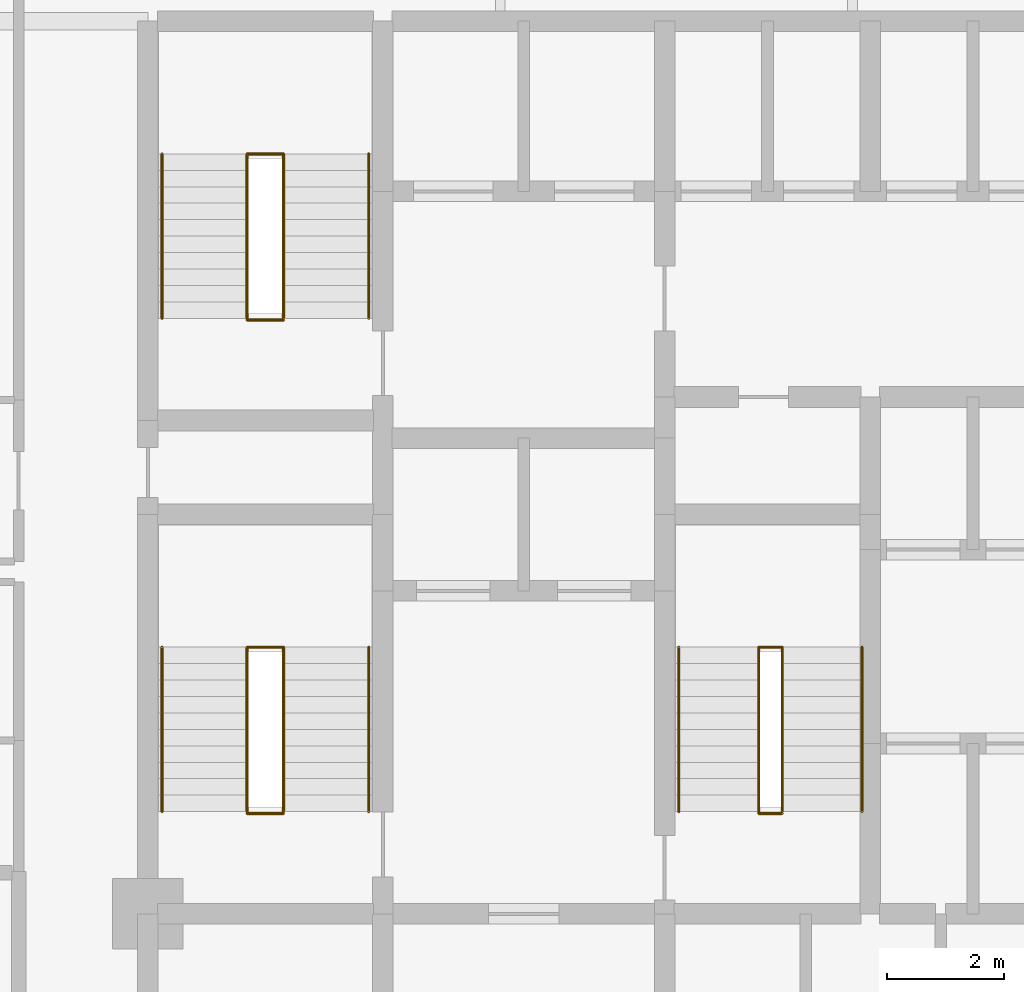
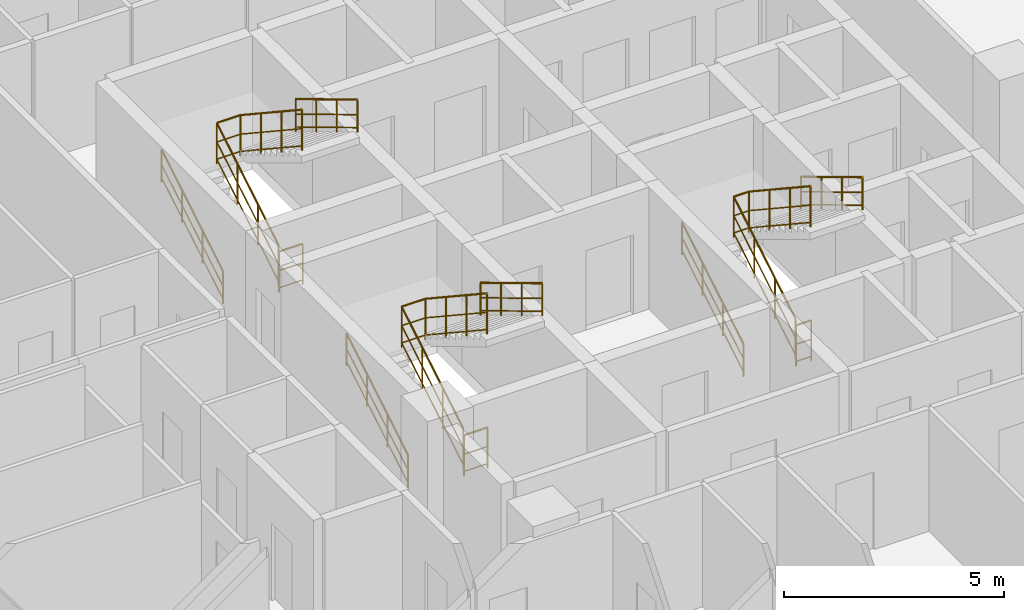
# One storey, part 33 of 33: 12 railings.
"""IFC4 building model written with IfcOpenShell, lengths in metres."""

from ifc_helpers import new_model, si_unit, direction, frame, origin, origin_2d, place, context, subcontext, project, spatial, circle, extrude, material, layer, layer_set, type_object, element, save


model = new_model("IFC4")

# Units and contexts
model_context = context("Model", 3, precision=1e-05, world=origin(), true_north=direction((0.0, 1.0)))
body_context = subcontext(model_context, "Body", "Model", "MODEL_VIEW")
ifc_project = project(units=[si_unit("LENGTHUNIT", "METRE"), si_unit("AREAUNIT", "SQUARE_METRE"), si_unit("VOLUMEUNIT", "CUBIC_METRE"), si_unit("PLANEANGLEUNIT", "RADIAN"), si_unit("MASSUNIT", "GRAM", prefix="KILO")], contexts=[model_context])

# Site, building, storey
site_placement = place(None, origin())
site = spatial("IfcSite", under=ifc_project, at=site_placement, CompositionType="ELEMENT")
building_placement = place(site_placement, origin())
building = spatial("IfcBuilding", under=site, at=building_placement, Name="Keshet Zoharim Tower", CompositionType="ELEMENT")
storey_placement = place(building_placement, frame((0.0, 0.0, 73.800048828125)))
storey = spatial("IfcBuildingStorey", under=building, at=storey_placement, Name="L17", CompositionType="ELEMENT", Elevation=73.800048828125)

# Railings
ifc_material = material(Name="Steel S355", Category="steel")
ifc_layer_1 = layer(ifc_material, 0.050048828125)
ifc_layer_set_1 = layer_set([ifc_layer_1], Name="Steel S355")
railing_type_1 = type_object("IfcRailingType", Name="RL-HND-092", PredefinedType="HANDRAIL", material=ifc_layer_set_1)
railing_1_placement = place(storey_placement, frame((15.239990234375, 24.43994140625, 0.168212890625)))
element("IfcRailing", 1, at=railing_1_placement, inside=storey, type_object=railing_type_1, Name="L17 ST-01 Flight 1 Wall Handrail", PredefinedType="HANDRAIL", context=body_context, shape_type="SweptSolid", body=[
    extrude(circle(Radius=0.02392578125, at=origin_2d()), frame((0.0, 0.0, 0.89599609375), z_axis=(0.0, 0.857275202839, 0.514858452973), x_axis=(-1.0, 0.0, 0.0)), (0.0, 0.0, 1.0), 3.26611328125),
    extrude(circle(Radius=0.01611328125, at=origin_2d()), frame((0.0, 0.0, 0.478271484375), z_axis=(0.0, 0.857275202839, 0.514858452973), x_axis=(-1.0, 0.0, 0.0)), (0.0, 0.0, 1.0), 3.26611328125),
    extrude(circle(Radius=0.01611328125, at=origin_2d()), frame((0.0, 0.0, 0.1201171875), z_axis=(0.0, 0.857275202839, 0.514858452973), x_axis=(-1.0, 0.0, 0.0)), (0.0, 0.0, 1.0), 3.26611328125),
    extrude(circle(Radius=0.02099609375, at=origin_2d()), origin(), (0.0, 0.0, 1.0), 0.871826171875),
    extrude(circle(Radius=0.02099609375, at=origin_2d()), frame((0.0, 0.933349609375, 0.560546875)), (0.0, 0.0, 1.0), 0.871826171875),
    extrude(circle(Radius=0.02099609375, at=origin_2d()), frame((0.0, 1.86669921875, 1.12109375)), (0.0, 0.0, 1.0), 0.871826171875),
    extrude(circle(Radius=0.02099609375, at=origin_2d()), frame((0.0, 2.800048828125, 1.681640625)), (0.0, 0.0, 1.0), 0.871826171875),
])
railing_2_placement = place(storey_placement, frame((18.760009765625, 27.239990234375, 2.01806640625)))
element("IfcRailing", 2, at=railing_2_placement, inside=storey, type_object=railing_type_1, Name="L17 ST-01 Flight 2 Wall Handrail", PredefinedType="HANDRAIL", context=body_context, shape_type="SweptSolid", body=[
    extrude(circle(Radius=0.02392578125, at=origin_2d()), frame((0.0, 0.0, 0.89599609375), z_axis=(0.0, -0.857242210791, 0.514913383045), x_axis=(1.0, 0.0, 0.0)), (0.0, 0.0, 1.0), 3.266357421875),
    extrude(circle(Radius=0.01611328125, at=origin_2d()), frame((0.0, 0.0, 0.478271484375), z_axis=(0.0, -0.857242210791, 0.514913383045), x_axis=(1.0, 0.0, 0.0)), (0.0, 0.0, 1.0), 3.266357421875),
    extrude(circle(Radius=0.01611328125, at=origin_2d()), frame((0.0, 0.0, 0.1201171875), z_axis=(0.0, -0.857242210791, 0.514913383045), x_axis=(1.0, 0.0, 0.0)), (0.0, 0.0, 1.0), 3.266357421875),
    extrude(circle(Radius=0.02099609375, at=origin_2d()), origin(), (0.0, 0.0, 1.0), 0.871826171875),
    extrude(circle(Radius=0.02099609375, at=origin_2d()), frame((0.0, -0.933349609375, 0.560546875)), (0.0, 0.0, 1.0), 0.871826171875),
    extrude(circle(Radius=0.02099609375, at=origin_2d()), frame((0.0, -1.86669921875, 1.121337890625)), (0.0, 0.0, 1.0), 0.871826171875),
    extrude(circle(Radius=0.02099609375, at=origin_2d()), frame((0.0, -2.800048828125, 1.681884765625)), (0.0, 0.0, 1.0), 0.871826171875),
])
railing_3_placement = place(storey_placement, frame((15.239990234375, 32.840087890625, 0.168212890625)))
element("IfcRailing", 3, at=railing_3_placement, inside=storey, type_object=railing_type_1, Name="L17 ST-02 Flight 1 Wall Handrail", PredefinedType="HANDRAIL", context=body_context, shape_type="SweptSolid", body=[
    extrude(circle(Radius=0.02392578125, at=origin_2d()), frame((0.0, 0.0, 0.89599609375), z_axis=(0.0, 0.857255387014, 0.514891446264), x_axis=(-1.0, 0.0, 0.0)), (0.0, 0.0, 1.0), 3.26611328125),
    extrude(circle(Radius=0.01611328125, at=origin_2d()), frame((0.0, 0.0, 0.478271484375), z_axis=(0.0, 0.857255387014, 0.514891446264), x_axis=(-1.0, 0.0, 0.0)), (0.0, 0.0, 1.0), 3.26611328125),
    extrude(circle(Radius=0.01611328125, at=origin_2d()), frame((0.0, 0.0, 0.1201171875), z_axis=(0.0, 0.857255387014, 0.514891446264), x_axis=(-1.0, 0.0, 0.0)), (0.0, 0.0, 1.0), 3.26611328125),
    extrude(circle(Radius=0.02099609375, at=origin_2d()), origin(), (0.0, 0.0, 1.0), 0.871826171875),
    extrude(circle(Radius=0.02099609375, at=origin_2d()), frame((0.0, 0.933349609375, 0.560546875)), (0.0, 0.0, 1.0), 0.871826171875),
    extrude(circle(Radius=0.02099609375, at=origin_2d()), frame((0.0, 1.866455078125, 1.12109375)), (0.0, 0.0, 1.0), 0.871826171875),
    extrude(circle(Radius=0.02099609375, at=origin_2d()), frame((0.0, 2.7998046875, 1.681640625)), (0.0, 0.0, 1.0), 0.871826171875),
])
railing_4_placement = place(storey_placement, frame((18.760009765625, 35.639892578125, 2.01806640625)))
element("IfcRailing", 4, at=railing_4_placement, inside=storey, type_object=railing_type_1, Name="L17 ST-02 Flight 2 Wall Handrail", PredefinedType="HANDRAIL", context=body_context, shape_type="SweptSolid", body=[
    extrude(circle(Radius=0.02392578125, at=origin_2d()), frame((0.0, 0.0, 0.89599609375), z_axis=(0.0, -0.857222391501, 0.514946377315), x_axis=(1.0, 0.0, 0.0)), (0.0, 0.0, 1.0), 3.26611328125),
    extrude(circle(Radius=0.01611328125, at=origin_2d()), frame((0.0, 0.0, 0.478271484375), z_axis=(0.0, -0.857222391501, 0.514946377315), x_axis=(1.0, 0.0, 0.0)), (0.0, 0.0, 1.0), 3.26611328125),
    extrude(circle(Radius=0.01611328125, at=origin_2d()), frame((0.0, 0.0, 0.1201171875), z_axis=(0.0, -0.857222391501, 0.514946377315), x_axis=(1.0, 0.0, 0.0)), (0.0, 0.0, 1.0), 3.26611328125),
    extrude(circle(Radius=0.02099609375, at=origin_2d()), origin(), (0.0, 0.0, 1.0), 0.871826171875),
    extrude(circle(Radius=0.02099609375, at=origin_2d()), frame((0.0, -0.933349609375, 0.560546875)), (0.0, 0.0, 1.0), 0.871826171875),
    extrude(circle(Radius=0.02099609375, at=origin_2d()), frame((0.0, -1.866455078125, 1.121337890625)), (0.0, 0.0, 1.0), 0.871826171875),
    extrude(circle(Radius=0.02099609375, at=origin_2d()), frame((0.0, -2.7998046875, 1.681884765625)), (0.0, 0.0, 1.0), 0.871826171875),
])
railing_5_placement = place(storey_placement, frame((24.0400390625, 24.43994140625, 0.168212890625)))
element("IfcRailing", 5, at=railing_5_placement, inside=storey, type_object=railing_type_1, Name="L17 ST-03 Flight 1 Wall Handrail", PredefinedType="HANDRAIL", context=body_context, shape_type="SweptSolid", body=[
    extrude(circle(Radius=0.02392578125, at=origin_2d()), frame((0.0, 0.0, 0.89599609375), z_axis=(0.0, 0.857275202839, 0.514858452973), x_axis=(-1.0, 0.0, 0.0)), (0.0, 0.0, 1.0), 3.26611328125),
    extrude(circle(Radius=0.01611328125, at=origin_2d()), frame((0.0, 0.0, 0.478271484375), z_axis=(0.0, 0.857275202839, 0.514858452973), x_axis=(-1.0, 0.0, 0.0)), (0.0, 0.0, 1.0), 3.26611328125),
    extrude(circle(Radius=0.01611328125, at=origin_2d()), frame((0.0, 0.0, 0.1201171875), z_axis=(0.0, 0.857275202839, 0.514858452973), x_axis=(-1.0, 0.0, 0.0)), (0.0, 0.0, 1.0), 3.26611328125),
    extrude(circle(Radius=0.02099609375, at=origin_2d()), origin(), (0.0, 0.0, 1.0), 0.871826171875),
    extrude(circle(Radius=0.02099609375, at=origin_2d()), frame((0.0, 0.933349609375, 0.560546875)), (0.0, 0.0, 1.0), 0.871826171875),
    extrude(circle(Radius=0.02099609375, at=origin_2d()), frame((0.0, 1.86669921875, 1.12109375)), (0.0, 0.0, 1.0), 0.871826171875),
    extrude(circle(Radius=0.02099609375, at=origin_2d()), frame((0.0, 2.800048828125, 1.681640625)), (0.0, 0.0, 1.0), 0.871826171875),
])
railing_6_placement = place(storey_placement, frame((27.159912109375, 27.239990234375, 2.01806640625)))
element("IfcRailing", 6, at=railing_6_placement, inside=storey, type_object=railing_type_1, Name="L17 ST-03 Flight 2 Wall Handrail", PredefinedType="HANDRAIL", context=body_context, shape_type="SweptSolid", body=[
    extrude(circle(Radius=0.02392578125, at=origin_2d()), frame((0.0, 0.0, 0.89599609375), z_axis=(0.0, -0.857242210791, 0.514913383045), x_axis=(1.0, 0.0, 0.0)), (0.0, 0.0, 1.0), 3.266357421875),
    extrude(circle(Radius=0.01611328125, at=origin_2d()), frame((0.0, 0.0, 0.478271484375), z_axis=(0.0, -0.857242210791, 0.514913383045), x_axis=(1.0, 0.0, 0.0)), (0.0, 0.0, 1.0), 3.266357421875),
    extrude(circle(Radius=0.01611328125, at=origin_2d()), frame((0.0, 0.0, 0.1201171875), z_axis=(0.0, -0.857242210791, 0.514913383045), x_axis=(1.0, 0.0, 0.0)), (0.0, 0.0, 1.0), 3.266357421875),
    extrude(circle(Radius=0.02099609375, at=origin_2d()), origin(), (0.0, 0.0, 1.0), 0.871826171875),
    extrude(circle(Radius=0.02099609375, at=origin_2d()), frame((0.0, -0.933349609375, 0.560546875)), (0.0, 0.0, 1.0), 0.871826171875),
    extrude(circle(Radius=0.02099609375, at=origin_2d()), frame((0.0, -1.86669921875, 1.121337890625)), (0.0, 0.0, 1.0), 0.871826171875),
    extrude(circle(Radius=0.02099609375, at=origin_2d()), frame((0.0, -2.800048828125, 1.681884765625)), (0.0, 0.0, 1.0), 0.871826171875),
])
ifc_layer_2 = layer(ifc_material, 0.06005859375)
ifc_layer_set_2 = layer_set([ifc_layer_2], Name="Steel S355")
railing_type_2 = type_object("IfcRailingType", Name="RL-STG-115", PredefinedType="GUARDRAIL", material=ifc_layer_set_2)
railing_7_placement = place(storey_placement, frame((16.68994140625, 24.43994140625, 0.168212890625)))
element("IfcRailing", 7, at=railing_7_placement, inside=storey, type_object=railing_type_2, Name="L17 ST-01 Inner Well Guardrail", PredefinedType="GUARDRAIL", context=body_context, shape_type="SweptSolid", body=[
    extrude(circle(Radius=0.02392578125, at=origin_2d()), frame((0.0, 0.0, 1.1259765625), z_axis=(0.0, 0.857275202839, 0.514858452973), x_axis=(-1.0, 0.0, 0.0)), (0.0, 0.0, 1.0), 3.26611328125),
    extrude(circle(Radius=0.01611328125, at=origin_2d()), frame((0.0, 0.0, 0.597900390625), z_axis=(0.0, 0.857275202839, 0.514858452973), x_axis=(-1.0, 0.0, 0.0)), (0.0, 0.0, 1.0), 3.26611328125),
    extrude(circle(Radius=0.01611328125, at=origin_2d()), frame((0.0, 0.0, 0.1201171875), z_axis=(0.0, 0.857275202839, 0.514858452973), x_axis=(-1.0, 0.0, 0.0)), (0.0, 0.0, 1.0), 3.26611328125),
    extrude(circle(Radius=0.02392578125, at=origin_2d()), frame((0.0, 2.800048828125, 2.8076171875), z_axis=(1.0, 0.0, 0.0), x_axis=(0.0, 1.0, 0.0)), (0.0, 0.0, 1.0), 0.6201171875),
    extrude(circle(Radius=0.01611328125, at=origin_2d()), frame((0.0, 2.800048828125, 2.279541015625), z_axis=(1.0, 0.0, 0.0), x_axis=(0.0, 1.0, 0.0)), (0.0, 0.0, 1.0), 0.6201171875),
    extrude(circle(Radius=0.01611328125, at=origin_2d()), frame((0.0, 2.800048828125, 1.8017578125), z_axis=(1.0, 0.0, 0.0), x_axis=(0.0, 1.0, 0.0)), (0.0, 0.0, 1.0), 0.6201171875),
    extrude(circle(Radius=0.02392578125, at=origin_2d()), frame((0.6201171875, 2.800048828125, 2.8076171875), z_axis=(0.0, -0.834326358476, 0.551270829586), x_axis=(1.0, 0.0, 0.0)), (0.0, 0.0, 1.0), 3.35595703125),
    extrude(circle(Radius=0.01611328125, at=origin_2d()), frame((0.6201171875, 2.800048828125, 2.279541015625), z_axis=(0.0, -0.834326358476, 0.551270829586), x_axis=(1.0, 0.0, 0.0)), (0.0, 0.0, 1.0), 3.35595703125),
    extrude(circle(Radius=0.01611328125, at=origin_2d()), frame((0.6201171875, 2.800048828125, 1.8017578125), z_axis=(0.0, -0.834326358476, 0.551270829586), x_axis=(1.0, 0.0, 0.0)), (0.0, 0.0, 1.0), 3.35595703125),
    extrude(circle(Radius=0.02099609375, at=origin_2d()), origin(), (0.0, 0.0, 1.0), 1.101806640625),
    extrude(circle(Radius=0.02099609375, at=origin_2d()), frame((0.0, 0.933349609375, 0.560546875)), (0.0, 0.0, 1.0), 1.101806640625),
    extrude(circle(Radius=0.02099609375, at=origin_2d()), frame((0.0, 1.86669921875, 1.12109375)), (0.0, 0.0, 1.0), 1.101806640625),
    extrude(circle(Radius=0.02099609375, at=origin_2d()), frame((0.0, 2.800048828125, 1.681640625)), (0.0, 0.0, 1.0), 1.101806640625),
    extrude(circle(Radius=0.02099609375, at=origin_2d()), frame((0.6201171875, 2.800048828125, 1.681640625)), (0.0, 0.0, 1.0), 1.101806640625),
    extrude(circle(Radius=0.02099609375, at=origin_2d()), frame((0.6201171875, 1.86669921875, 2.29833984375)), (0.0, 0.0, 1.0), 1.101806640625),
    extrude(circle(Radius=0.02099609375, at=origin_2d()), frame((0.6201171875, 0.933349609375, 2.9150390625)), (0.0, 0.0, 1.0), 1.101806640625),
    extrude(circle(Radius=0.02099609375, at=origin_2d()), frame((0.6201171875, 0.0, 3.53173828125)), (0.0, 0.0, 1.0), 1.101806640625),
])
railing_8_placement = place(storey_placement, frame((16.68994140625, 24.409912109375, 0.0)))
element("IfcRailing", 8, at=railing_8_placement, inside=storey, type_object=railing_type_2, Name="L17 ST-01 Stairwell Floor Guardrail", PredefinedType="GUARDRAIL", context=body_context, shape_type="SweptSolid", body=[
    extrude(circle(Radius=0.02392578125, at=origin_2d()), frame((0.0, 0.0, 1.1259765625), z_axis=(1.0, 0.0, 0.0), x_axis=(0.0, 1.0, 0.0)), (0.0, 0.0, 1.0), 0.6201171875),
    extrude(circle(Radius=0.01611328125, at=origin_2d()), frame((0.0, 0.0, 0.597900390625), z_axis=(1.0, 0.0, 0.0), x_axis=(0.0, 1.0, 0.0)), (0.0, 0.0, 1.0), 0.6201171875),
    extrude(circle(Radius=0.01611328125, at=origin_2d()), frame((0.0, 0.0, 0.1201171875), z_axis=(1.0, 0.0, 0.0), x_axis=(0.0, 1.0, 0.0)), (0.0, 0.0, 1.0), 0.6201171875),
    extrude(circle(Radius=0.02099609375, at=origin_2d()), origin(), (0.0, 0.0, 1.0), 1.101806640625),
    extrude(circle(Radius=0.02099609375, at=origin_2d()), frame((0.6201171875, 0.0, 0.0)), (0.0, 0.0, 1.0), 1.101806640625),
])
railing_9_placement = place(storey_placement, frame((16.68994140625, 32.840087890625, 0.168212890625)))
element("IfcRailing", 9, at=railing_9_placement, inside=storey, type_object=railing_type_2, Name="L17 ST-02 Inner Well Guardrail", PredefinedType="GUARDRAIL", context=body_context, shape_type="SweptSolid", body=[
    extrude(circle(Radius=0.02392578125, at=origin_2d()), frame((0.0, 0.0, 1.1259765625), z_axis=(0.0, 0.857255387014, 0.514891446264), x_axis=(-1.0, 0.0, 0.0)), (0.0, 0.0, 1.0), 3.26611328125),
    extrude(circle(Radius=0.01611328125, at=origin_2d()), frame((0.0, 0.0, 0.597900390625), z_axis=(0.0, 0.857255387014, 0.514891446264), x_axis=(-1.0, 0.0, 0.0)), (0.0, 0.0, 1.0), 3.26611328125),
    extrude(circle(Radius=0.01611328125, at=origin_2d()), frame((0.0, 0.0, 0.1201171875), z_axis=(0.0, 0.857255387014, 0.514891446264), x_axis=(-1.0, 0.0, 0.0)), (0.0, 0.0, 1.0), 3.26611328125),
    extrude(circle(Radius=0.02392578125, at=origin_2d()), frame((0.0, 2.7998046875, 2.8076171875), z_axis=(1.0, 0.0, 0.0), x_axis=(0.0, 1.0, 0.0)), (0.0, 0.0, 1.0), 0.6201171875),
    extrude(circle(Radius=0.01611328125, at=origin_2d()), frame((0.0, 2.7998046875, 2.279541015625), z_axis=(1.0, 0.0, 0.0), x_axis=(0.0, 1.0, 0.0)), (0.0, 0.0, 1.0), 0.6201171875),
    extrude(circle(Radius=0.01611328125, at=origin_2d()), frame((0.0, 2.7998046875, 1.8017578125), z_axis=(1.0, 0.0, 0.0), x_axis=(0.0, 1.0, 0.0)), (0.0, 0.0, 1.0), 0.6201171875),
    extrude(circle(Radius=0.02392578125, at=origin_2d()), frame((0.6201171875, 2.7998046875, 2.8076171875), z_axis=(0.0, -0.834304248922, 0.551304290053), x_axis=(1.0, 0.0, 0.0)), (0.0, 0.0, 1.0), 3.35595703125),
    extrude(circle(Radius=0.01611328125, at=origin_2d()), frame((0.6201171875, 2.7998046875, 2.279541015625), z_axis=(0.0, -0.834304248922, 0.551304290053), x_axis=(1.0, 0.0, 0.0)), (0.0, 0.0, 1.0), 3.35595703125),
    extrude(circle(Radius=0.01611328125, at=origin_2d()), frame((0.6201171875, 2.7998046875, 1.8017578125), z_axis=(0.0, -0.834304248922, 0.551304290053), x_axis=(1.0, 0.0, 0.0)), (0.0, 0.0, 1.0), 3.35595703125),
    extrude(circle(Radius=0.02099609375, at=origin_2d()), origin(), (0.0, 0.0, 1.0), 1.101806640625),
    extrude(circle(Radius=0.02099609375, at=origin_2d()), frame((0.0, 0.933349609375, 0.560546875)), (0.0, 0.0, 1.0), 1.101806640625),
    extrude(circle(Radius=0.02099609375, at=origin_2d()), frame((0.0, 1.866455078125, 1.12109375)), (0.0, 0.0, 1.0), 1.101806640625),
    extrude(circle(Radius=0.02099609375, at=origin_2d()), frame((0.0, 2.7998046875, 1.681640625)), (0.0, 0.0, 1.0), 1.101806640625),
    extrude(circle(Radius=0.02099609375, at=origin_2d()), frame((0.6201171875, 2.7998046875, 1.681640625)), (0.0, 0.0, 1.0), 1.101806640625),
    extrude(circle(Radius=0.02099609375, at=origin_2d()), frame((0.6201171875, 1.866455078125, 2.29833984375)), (0.0, 0.0, 1.0), 1.101806640625),
    extrude(circle(Radius=0.02099609375, at=origin_2d()), frame((0.6201171875, 0.933349609375, 2.9150390625)), (0.0, 0.0, 1.0), 1.101806640625),
    extrude(circle(Radius=0.02099609375, at=origin_2d()), frame((0.6201171875, 0.0, 3.53173828125)), (0.0, 0.0, 1.0), 1.101806640625),
])
railing_10_placement = place(storey_placement, frame((16.68994140625, 32.81005859375, 0.0)))
element("IfcRailing", 10, at=railing_10_placement, inside=storey, type_object=railing_type_2, Name="L17 ST-02 Stairwell Floor Guardrail", PredefinedType="GUARDRAIL", context=body_context, shape_type="SweptSolid", body=[
    extrude(circle(Radius=0.02392578125, at=origin_2d()), frame((0.0, 0.0, 1.1259765625), z_axis=(1.0, 0.0, 0.0), x_axis=(0.0, 1.0, 0.0)), (0.0, 0.0, 1.0), 0.6201171875),
    extrude(circle(Radius=0.01611328125, at=origin_2d()), frame((0.0, 0.0, 0.597900390625), z_axis=(1.0, 0.0, 0.0), x_axis=(0.0, 1.0, 0.0)), (0.0, 0.0, 1.0), 0.6201171875),
    extrude(circle(Radius=0.01611328125, at=origin_2d()), frame((0.0, 0.0, 0.1201171875), z_axis=(1.0, 0.0, 0.0), x_axis=(0.0, 1.0, 0.0)), (0.0, 0.0, 1.0), 0.6201171875),
    extrude(circle(Radius=0.02099609375, at=origin_2d()), origin(), (0.0, 0.0, 1.0), 1.101806640625),
    extrude(circle(Radius=0.02099609375, at=origin_2d()), frame((0.6201171875, 0.0, 0.0)), (0.0, 0.0, 1.0), 1.101806640625),
])
railing_11_placement = place(storey_placement, frame((25.39990234375, 24.43994140625, 0.168212890625)))
element("IfcRailing", 11, at=railing_11_placement, inside=storey, type_object=railing_type_2, Name="L17 ST-03 Inner Well Guardrail", PredefinedType="GUARDRAIL", context=body_context, shape_type="SweptSolid", body=[
    extrude(circle(Radius=0.02392578125, at=origin_2d()), frame((0.0, 0.0, 1.1259765625), z_axis=(0.0, 0.857275202839, 0.514858452973), x_axis=(-1.0, 0.0, 0.0)), (0.0, 0.0, 1.0), 3.26611328125),
    extrude(circle(Radius=0.01611328125, at=origin_2d()), frame((0.0, 0.0, 0.597900390625), z_axis=(0.0, 0.857275202839, 0.514858452973), x_axis=(-1.0, 0.0, 0.0)), (0.0, 0.0, 1.0), 3.26611328125),
    extrude(circle(Radius=0.01611328125, at=origin_2d()), frame((0.0, 0.0, 0.1201171875), z_axis=(0.0, 0.857275202839, 0.514858452973), x_axis=(-1.0, 0.0, 0.0)), (0.0, 0.0, 1.0), 3.26611328125),
    extrude(circle(Radius=0.02392578125, at=origin_2d()), frame((0.0, 2.800048828125, 2.8076171875), z_axis=(1.0, 0.0, 0.0), x_axis=(0.0, 1.0, 0.0)), (0.0, 0.0, 1.0), 0.400146484375),
    extrude(circle(Radius=0.01611328125, at=origin_2d()), frame((0.0, 2.800048828125, 2.279541015625), z_axis=(1.0, 0.0, 0.0), x_axis=(0.0, 1.0, 0.0)), (0.0, 0.0, 1.0), 0.400146484375),
    extrude(circle(Radius=0.01611328125, at=origin_2d()), frame((0.0, 2.800048828125, 1.8017578125), z_axis=(1.0, 0.0, 0.0), x_axis=(0.0, 1.0, 0.0)), (0.0, 0.0, 1.0), 0.400146484375),
    extrude(circle(Radius=0.02392578125, at=origin_2d()), frame((0.400146484375, 2.800048828125, 2.8076171875), z_axis=(0.0, -0.834326358476, 0.551270829586), x_axis=(1.0, 0.0, 0.0)), (0.0, 0.0, 1.0), 3.35595703125),
    extrude(circle(Radius=0.01611328125, at=origin_2d()), frame((0.400146484375, 2.800048828125, 2.279541015625), z_axis=(0.0, -0.834326358476, 0.551270829586), x_axis=(1.0, 0.0, 0.0)), (0.0, 0.0, 1.0), 3.35595703125),
    extrude(circle(Radius=0.01611328125, at=origin_2d()), frame((0.400146484375, 2.800048828125, 1.8017578125), z_axis=(0.0, -0.834326358476, 0.551270829586), x_axis=(1.0, 0.0, 0.0)), (0.0, 0.0, 1.0), 3.35595703125),
    extrude(circle(Radius=0.02099609375, at=origin_2d()), origin(), (0.0, 0.0, 1.0), 1.101806640625),
    extrude(circle(Radius=0.02099609375, at=origin_2d()), frame((0.0, 0.933349609375, 0.560546875)), (0.0, 0.0, 1.0), 1.101806640625),
    extrude(circle(Radius=0.02099609375, at=origin_2d()), frame((0.0, 1.86669921875, 1.12109375)), (0.0, 0.0, 1.0), 1.101806640625),
    extrude(circle(Radius=0.02099609375, at=origin_2d()), frame((0.0, 2.800048828125, 1.681640625)), (0.0, 0.0, 1.0), 1.101806640625),
    extrude(circle(Radius=0.02099609375, at=origin_2d()), frame((0.400146484375, 2.800048828125, 1.681640625)), (0.0, 0.0, 1.0), 1.101806640625),
    extrude(circle(Radius=0.02099609375, at=origin_2d()), frame((0.400146484375, 1.86669921875, 2.29833984375)), (0.0, 0.0, 1.0), 1.101806640625),
    extrude(circle(Radius=0.02099609375, at=origin_2d()), frame((0.400146484375, 0.933349609375, 2.9150390625)), (0.0, 0.0, 1.0), 1.101806640625),
    extrude(circle(Radius=0.02099609375, at=origin_2d()), frame((0.400146484375, 0.0, 3.53173828125)), (0.0, 0.0, 1.0), 1.101806640625),
])
railing_12_placement = place(storey_placement, frame((25.39990234375, 24.409912109375, 0.0)))
element("IfcRailing", 12, at=railing_12_placement, inside=storey, type_object=railing_type_2, Name="L17 ST-03 Stairwell Floor Guardrail", PredefinedType="GUARDRAIL", context=body_context, shape_type="SweptSolid", body=[
    extrude(circle(Radius=0.02392578125, at=origin_2d()), frame((0.0, 0.0, 1.1259765625), z_axis=(1.0, 0.0, 0.0), x_axis=(0.0, 1.0, 0.0)), (0.0, 0.0, 1.0), 0.400146484375),
    extrude(circle(Radius=0.01611328125, at=origin_2d()), frame((0.0, 0.0, 0.597900390625), z_axis=(1.0, 0.0, 0.0), x_axis=(0.0, 1.0, 0.0)), (0.0, 0.0, 1.0), 0.400146484375),
    extrude(circle(Radius=0.01611328125, at=origin_2d()), frame((0.0, 0.0, 0.1201171875), z_axis=(1.0, 0.0, 0.0), x_axis=(0.0, 1.0, 0.0)), (0.0, 0.0, 1.0), 0.400146484375),
    extrude(circle(Radius=0.02099609375, at=origin_2d()), origin(), (0.0, 0.0, 1.0), 1.101806640625),
    extrude(circle(Radius=0.02099609375, at=origin_2d()), frame((0.400146484375, 0.0, 0.0)), (0.0, 0.0, 1.0), 1.101806640625),
])

save(model, "model.ifc")
